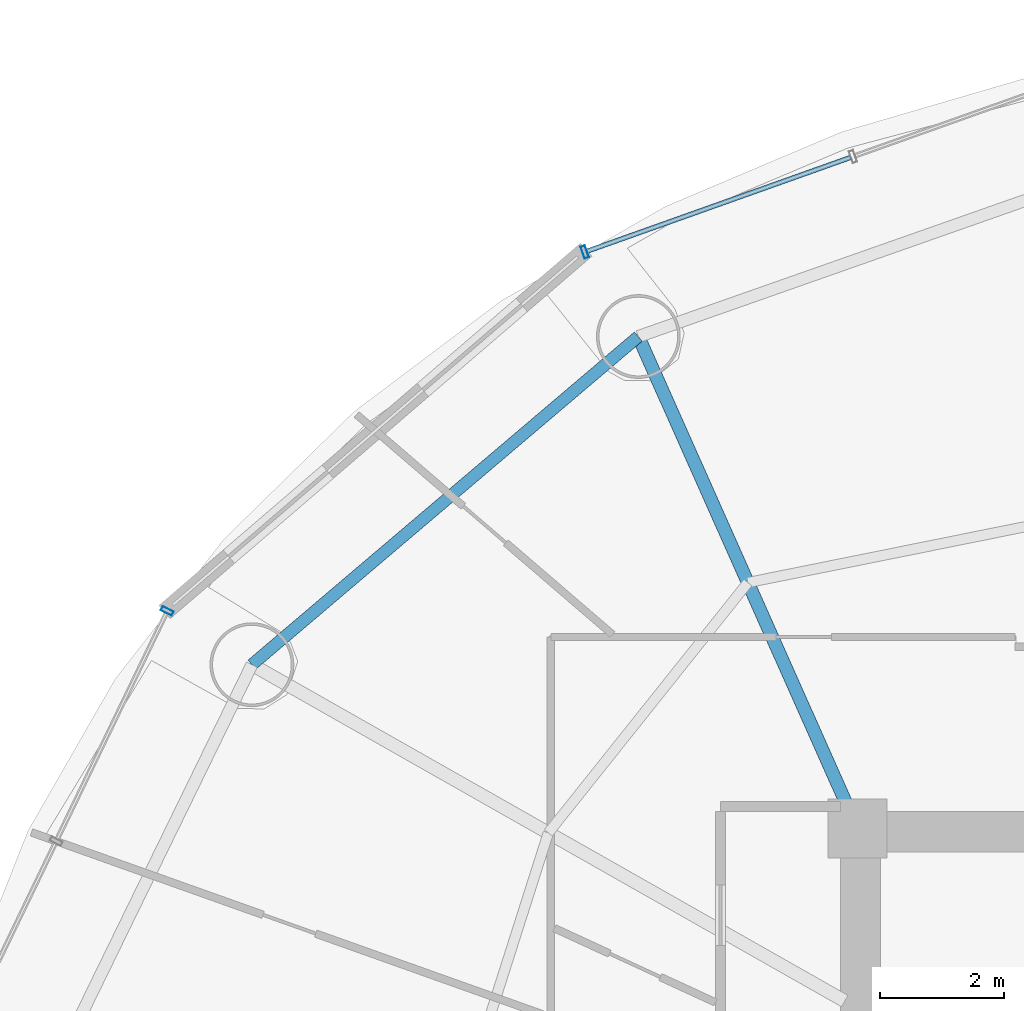
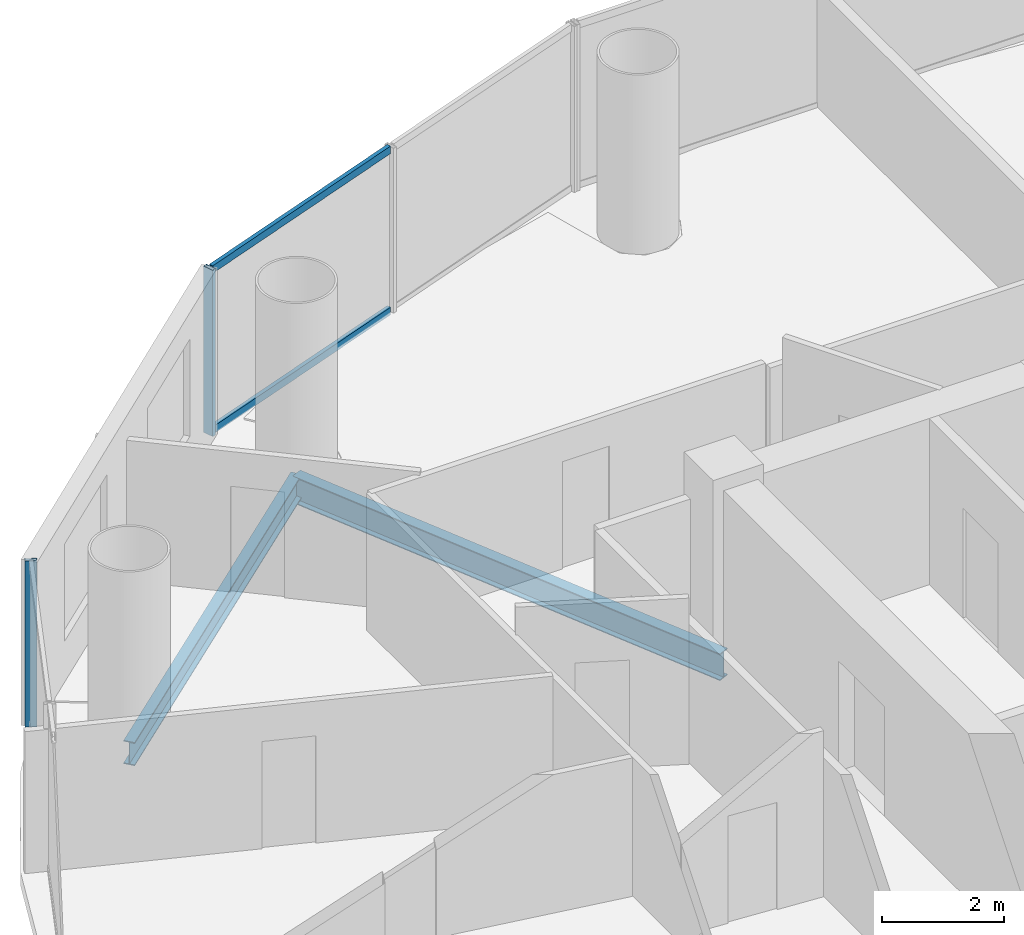
# One storey, part 13 of 26: 4 members, 2 beams, 2 elements without a shape of their own.
"""IFC4 building model written with IfcOpenShell, lengths in metres."""

from ifc_helpers import new_model, si_unit, direction, frame, origin, origin_2d, place, context, subcontext, project, spatial, hollow_rectangle, i_section, extrude, source, transform, mapped, material, material_profile, profile_set, type_object, element, aggregate, save


model = new_model("IFC4")

# Units and contexts
model_context = context("Model", 3, precision=1e-05, world=origin(), true_north=direction((-0.2419218956, 0.970295726276)))
body_context = subcontext(model_context, "Body", "Model", "MODEL_VIEW")
ifc_project = project(units=[si_unit("LENGTHUNIT", "METRE"), si_unit("AREAUNIT", "SQUARE_METRE"), si_unit("VOLUMEUNIT", "CUBIC_METRE"), si_unit("PLANEANGLEUNIT", "RADIAN"), si_unit("MASSUNIT", "GRAM", prefix="KILO")], contexts=[model_context])

# Site, building, storey
site_placement = place(None, origin())
site = spatial("IfcSite", under=ifc_project, at=site_placement, CompositionType="ELEMENT")
building_placement = place(site_placement, origin())
building = spatial("IfcBuilding", under=site, at=building_placement, Name="Cobrevalo Terracotta Tower", CompositionType="ELEMENT")
storey_placement = place(building_placement, frame((0.0, 0.0, 167.800048828125)))
storey = spatial("IfcBuildingStorey", under=building, at=storey_placement, Name="L44", CompositionType="ELEMENT", Elevation=167.800048828125)

# Beams
ifc_material_1 = material(Name="Steel S355", Category="steel")
ifc_material_profile_1 = material_profile(ifc_material_1, i_section(OverallWidth=0.2109375, OverallDepth=0.5390625, WebThickness=0.01171875, FlangeThickness=0.018798828125, at=origin_2d()), Name="W 530x109")
ifc_profile_set_1 = profile_set([ifc_material_profile_1], Name="Steel S355")
beam_type_1 = type_object("IfcBeamType", Name="Structural Beam W 530x109 (Steel S355)", PredefinedType="BEAM", material=ifc_profile_set_1)
beam_1_placement = place(storey_placement, frame((25.471923828125, 42.72265625, -0.53955078125), z_axis=(0.406804395691, -0.913515289224, 0.0), x_axis=(0.913515289224, 0.406804395691, 0.0)))
element("IfcBeam", 1, at=beam_1_placement, inside=storey, type_object=beam_type_1, Name="L44 radial floor girder 06", PredefinedType="BEAM", context=body_context, shape_type="SweptSolid", body=[
    extrude(i_section(OverallWidth=0.2109375, OverallDepth=0.5390625, WebThickness=0.01171875, FlangeThickness=0.018798828125, at=origin_2d()), origin(), (0.0, 0.0, 1.0), 8.672607421875),
])
ifc_material_profile_2 = material_profile(ifc_material_1, i_section(OverallWidth=0.194091796875, OverallDepth=0.468994140625, WebThickness=0.011474609375, FlangeThickness=0.0205078125, at=origin_2d()), Name="W 460x106")
ifc_profile_set_2 = profile_set([ifc_material_profile_2], Name="Steel S355")
beam_type_2 = type_object("IfcBeamType", Name="Structural Spandrel W 460x106 (Steel S355)", PredefinedType="SPANDREL", material=ifc_profile_set_2)
beam_2_placement = place(storey_placement, frame((25.471923828125, 42.72265625, -0.504638671875), z_axis=(-0.762240337798, -0.647294112003, 0.0), x_axis=(0.647294112003, -0.762240337798, 0.0)))
element("IfcBeam", 2, at=beam_2_placement, inside=storey, type_object=beam_type_2, Name="L44 perimeter ring spandrel 06", PredefinedType="SPANDREL", context=body_context, shape_type="SweptSolid", body=[
    extrude(i_section(OverallWidth=0.194091796875, OverallDepth=0.468994140625, WebThickness=0.011474609375, FlangeThickness=0.0205078125, at=origin_2d()), origin(), (0.0, 0.0, 1.0), 8.162353515625),
])

# Curtain wall, member
ifc_material_2 = material(Name="Anodized aluminium", Category="aluminium")
curtain_wall_type = type_object("IfcCurtainWallType", Name="Mid-tower high-wind unitised curtain wall CW-U2", PredefinedType="NOTDEFINED", material=ifc_material_2)
curtain_wall_1_placement = place(storey_placement, origin())
curtain_wall_1 = element("IfcCurtainWall", 3, at=curtain_wall_1_placement, inside=storey, type_object=curtain_wall_type, Name="L44 curtain wall CW-L44-S05", PredefinedType="NOTDEFINED")
ifc_material_profile_3 = material_profile(ifc_material_2, hollow_rectangle(XDim=0.074951171875, YDim=0.199951171875, WallThickness=0.0048828125, at=origin_2d()), Name="CWM 75x200")
ifc_profile_set_3 = profile_set([ifc_material_profile_3], Name="Anodized aluminium")
member_type_1 = type_object("IfcMemberType", Name="Lower/mid tower unitised mullion 75x200", PredefinedType="MULLION", material=ifc_profile_set_3)
shared_shape_1 = source(origin(), body_context, "Body", "SweptSolid", [
    extrude(hollow_rectangle(XDim=0.074951171875, YDim=0.199951171875, WallThickness=0.0048828125, at=origin_2d()), origin(), (0.0, 0.0, 1.0), 3.329833984375),
])
member_1_placement = place(storey_placement, frame((24.609619140625, 44.0830078125, 0.0), z_axis=(0.0, 0.0, 1.0), x_axis=(-0.942098428897, -0.335336473217, 0.0)))
member_1 = element("IfcMember", 4, at=member_1_placement, type_object=member_type_1, Name="CW-L44-S05 vertical mullion 03", PredefinedType="MULLION", context=body_context, shape_type="MappedRepresentation", body=[
    mapped(shared_shape_1, transform((0.0, 0.0, 0.0), scale=1.0)),
])

curtain_wall_2_placement = place(storey_placement, origin())
curtain_wall_2 = element("IfcCurtainWall", 5, at=curtain_wall_2_placement, inside=storey, type_object=curtain_wall_type, Name="L44 curtain wall CW-L44-S07", PredefinedType="NOTDEFINED")
member_2_placement = place(storey_placement, frame((17.885986328125, 38.30322265625, 0.0), z_axis=(0.0, 0.0, 1.0), x_axis=(-0.434209440271, -0.900811945957, 0.0)))
member_2 = element("IfcMember", 6, at=member_2_placement, type_object=member_type_1, Name="CW-L44-S07 vertical mullion 01", PredefinedType="MULLION", context=body_context, shape_type="MappedRepresentation", body=[
    mapped(shared_shape_1, transform((0.0, 0.0, 0.0), scale=1.0)),
])
aggregate(curtain_wall_2, [member_2])

# Member
ifc_material_profile_4 = material_profile(ifc_material_2, hollow_rectangle(XDim=0.074951171875, YDim=0.14990234375, WallThickness=0.00439453125, at=origin_2d()), Name="CWT 75x150")
ifc_profile_set_4 = profile_set([ifc_material_profile_4], Name="Anodized aluminium")
member_type_2 = type_object("IfcMemberType", Name="Tower unitised aluminium transom 75x150", PredefinedType="USERDEFINED", material=ifc_profile_set_4)
shared_shape_2 = source(origin(), body_context, "Body", "SweptSolid", [
    extrude(hollow_rectangle(XDim=0.074951171875, YDim=0.14990234375, WallThickness=0.00439453125, at=origin_2d()), origin(), (0.0, 0.0, 1.0), 4.504150390625),
])
member_3_placement = place(storey_placement, frame((28.890625, 45.60693359375, 0.050048828125), z_axis=(-0.942093344241, -0.335350757771, 0.0), x_axis=(0.335350757771, -0.942093344241, 0.0)))
member_3 = element("IfcMember", 7, at=member_3_placement, type_object=member_type_2, Name="CW-L44-S05 transom B02-T1", ObjectType="TRANSOM", PredefinedType="USERDEFINED", context=body_context, shape_type="MappedRepresentation", body=[
    mapped(shared_shape_2, transform((0.0, 0.0, 0.0), scale=1.0)),
])

member_4_placement = place(storey_placement, frame((28.890625, 45.60693359375, 3.280029296875), z_axis=(-0.942093344241, -0.335350757771, 0.0), x_axis=(0.335350757771, -0.942093344241, 0.0)))
member_4 = element("IfcMember", 8, at=member_4_placement, type_object=member_type_2, Name="CW-L44-S05 transom B02-T2", ObjectType="TRANSOM", PredefinedType="USERDEFINED", context=body_context, shape_type="MappedRepresentation", body=[
    mapped(shared_shape_2, transform((0.0, 0.0, 0.0), scale=1.0)),
])

aggregate(curtain_wall_1, [member_1, member_3, member_4])

save(model, "model.ifc")
